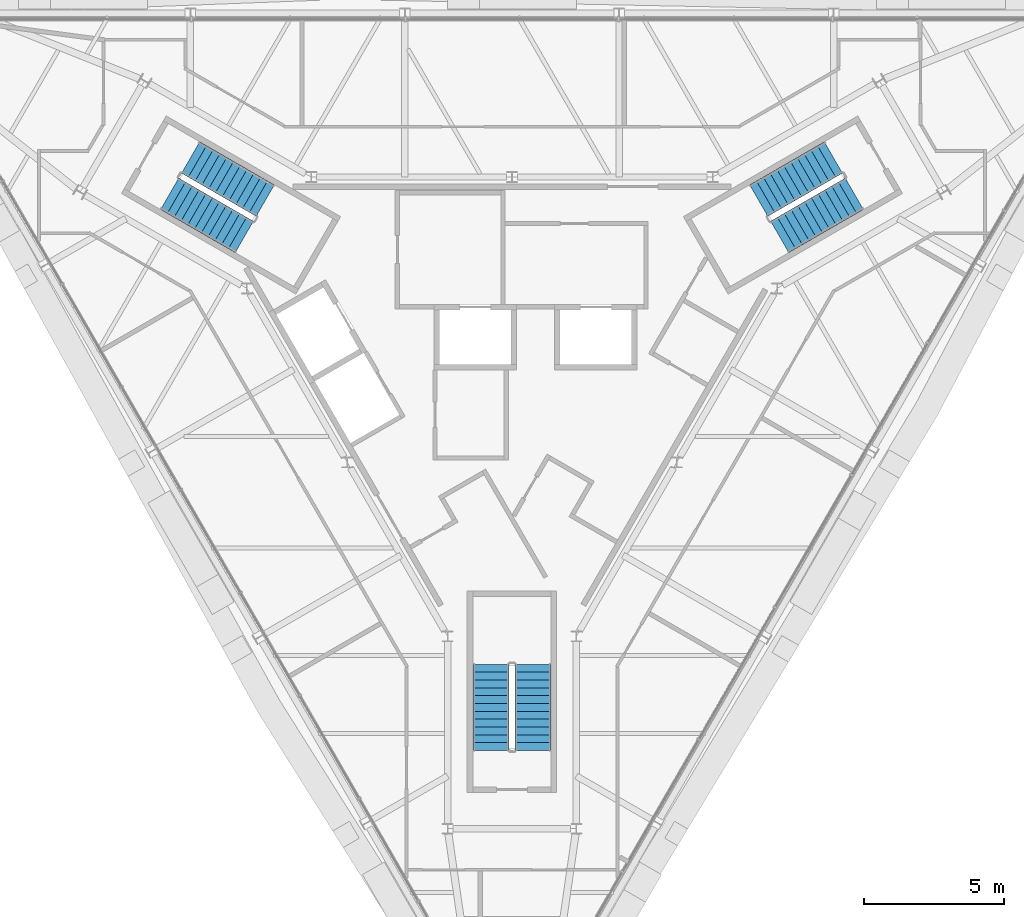
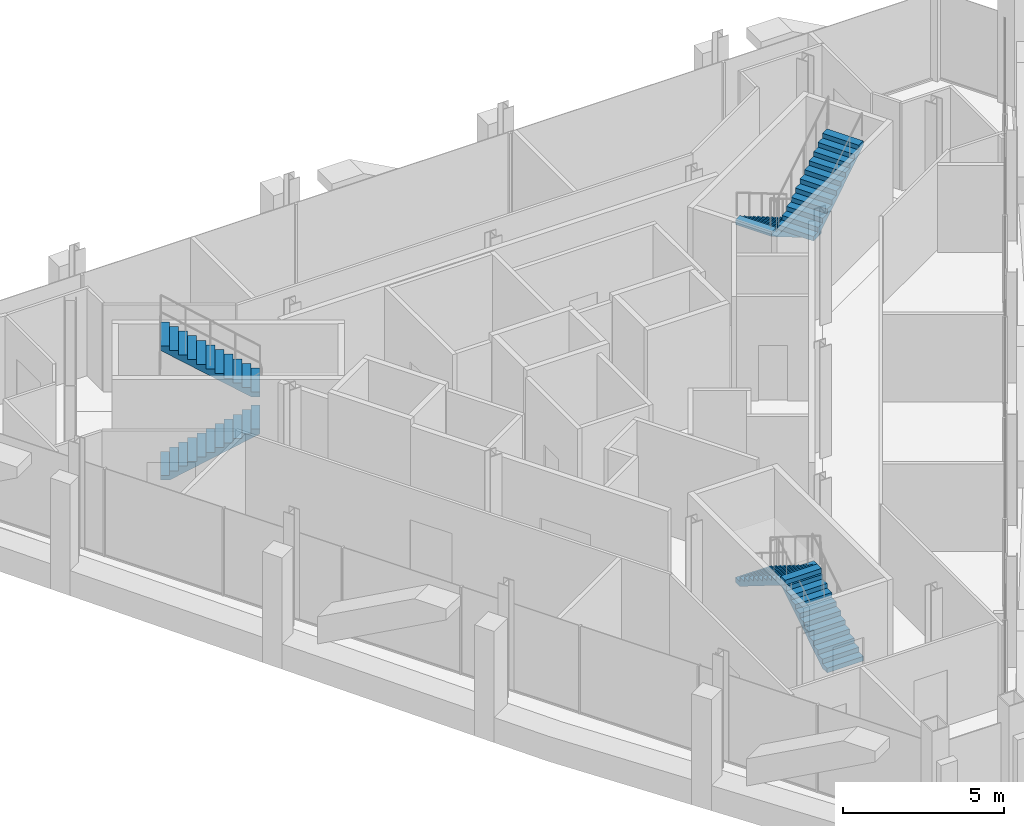
# One storey, part 11 of 13: 6 stair flights, 3 elements without a shape of their own.
"""IFC4 building model written with IfcOpenShell, lengths in metres."""

from ifc_helpers import new_model, si_unit, direction, frame, origin, place, context, subcontext, project, spatial, polyline, outline, extrude, material, type_object, element, aggregate, save


model = new_model("IFC4")

# Units and contexts
model_context = context("Model", 3, precision=1e-05, world=origin(), true_north=direction((0.0, 1.0)))
body_context = subcontext(model_context, "Body", "Model", "MODEL_VIEW")
ifc_project = project(units=[si_unit("LENGTHUNIT", "METRE"), si_unit("AREAUNIT", "SQUARE_METRE"), si_unit("VOLUMEUNIT", "CUBIC_METRE"), si_unit("PLANEANGLEUNIT", "RADIAN"), si_unit("MASSUNIT", "GRAM", prefix="KILO")], contexts=[model_context])

# Site, building, storey
site_placement = place(None, origin())
site = spatial("IfcSite", under=ifc_project, at=site_placement, CompositionType="ELEMENT")
building_placement = place(site_placement, origin())
building = spatial("IfcBuilding", under=site, at=building_placement, Name="Verrane Prism Tower", CompositionType="ELEMENT")
storey_placement = place(building_placement, frame((0.0, 0.0, 321.0)))
storey = spatial("IfcBuildingStorey", under=building, at=storey_placement, Name="L81", CompositionType="ELEMENT", Elevation=321.0)

# Stair, stair flights
ifc_material_1 = material(Name="Concrete C40/50", Category="concrete")
stair_type = type_object("IfcStairType", Name="Exit stair 1300 dog-leg precast concrete C40/50", PredefinedType="HALF_TURN_STAIR", material=ifc_material_1)
stair_1_placement = place(storey_placement, origin())
stair_1 = element("IfcStair", 1, at=stair_1_placement, inside=storey, type_object=stair_type, Name="Stair 1 L81", PredefinedType="HALF_TURN_STAIR")
ifc_material_2 = material(Name="Concrete C40/50", Category="concrete")
stair_flight_type = type_object("IfcStairFlightType", Name="Stair flight 1300 precast concrete C40/50", PredefinedType="STRAIGHT", material=ifc_material_2)
stair_flight_1_placement = place(storey_placement, frame((11.489501953125, 7.49951171875, 0.0), z_axis=(0.0, 0.0, 1.0), x_axis=(-0.866025403784, -0.5, 0.0)))
stair_flight_1 = element("IfcStairFlight", 2, at=stair_flight_1_placement, type_object=stair_flight_type, Name="Stair 1 flight 1", NumberOfRisers=12, NumberOfTreads=11, PredefinedType="STRAIGHT", RiserHeight=0.175, TreadLength=0.28, context=body_context, shape_type="SweptSolid", body=[
    extrude(outline(polyline([(0.0, 0.0), (0.0, 0.175048828125), (0.280029296875, 0.175048828125), (0.280029296875, 0.35009765625), (0.56005859375, 0.35009765625), (0.56005859375, 0.52490234375), (0.840087890625, 0.52490234375), (0.840087890625, 0.699951171875), (1.1201171875, 0.699951171875), (1.1201171875, 0.875), (1.39990234375, 0.875), (1.39990234375, 1.050048828125), (1.679931640625, 1.050048828125), (1.679931640625, 1.22509765625), (1.9599609375, 1.22509765625), (1.9599609375, 1.39990234375), (2.239990234375, 1.39990234375), (2.239990234375, 1.574951171875), (2.52001953125, 1.574951171875), (2.52001953125, 1.75), (2.800048828125, 1.75), (2.800048828125, 1.925048828125), (3.080078125, 1.925048828125), (3.080078125, 2.10009765625), (3.080078125, 1.748291015625), (0.28271484375, 0.0), (0.0, 0.0)])), frame((0.0, 0.64990234375, 0.0), z_axis=(0.0, -1.0, 0.0), x_axis=(1.0, 0.0, 0.0)), (0.0, 0.0, 1.0), 1.300048828125),
])
stair_flight_2_placement = place(storey_placement, frame((9.572265625, 4.660400390625, 2.10009765625), z_axis=(0.0, 0.0, 1.0), x_axis=(0.866025403784, 0.5, 0.0)))
stair_flight_2 = element("IfcStairFlight", 3, at=stair_flight_2_placement, type_object=stair_flight_type, Name="Stair 1 flight 2", NumberOfRisers=12, NumberOfTreads=11, PredefinedType="STRAIGHT", RiserHeight=0.175, TreadLength=0.28, context=body_context, shape_type="SweptSolid", body=[
    extrude(outline(polyline([(0.0, 0.0), (0.0, 0.175048828125), (0.280029296875, 0.175048828125), (0.280029296875, 0.35009765625), (0.56005859375, 0.35009765625), (0.56005859375, 0.52490234375), (0.840087890625, 0.52490234375), (0.840087890625, 0.699951171875), (1.1201171875, 0.699951171875), (1.1201171875, 0.875), (1.39990234375, 0.875), (1.39990234375, 1.050048828125), (1.679931640625, 1.050048828125), (1.679931640625, 1.22509765625), (1.9599609375, 1.22509765625), (1.9599609375, 1.39990234375), (2.239990234375, 1.39990234375), (2.239990234375, 1.574951171875), (2.52001953125, 1.574951171875), (2.52001953125, 1.75), (2.800048828125, 1.75), (2.800048828125, 1.925048828125), (3.080078125, 1.925048828125), (3.080078125, 2.10009765625), (3.080078125, 1.748291015625), (0.28271484375, 0.0), (0.0, 0.0)])), frame((0.0, 0.64990234375, 0.0), z_axis=(0.0, -1.0, 0.0), x_axis=(1.0, 0.0, 0.0)), (0.0, 0.0, 1.0), 1.300048828125),
])
aggregate(stair_1, [stair_flight_1, stair_flight_2])

stair_2_placement = place(storey_placement, origin())
stair_2 = element("IfcStair", 4, at=stair_2_placement, inside=storey, type_object=stair_type, Name="Stair 2 L81", PredefinedType="HALF_TURN_STAIR")
stair_flight_3_placement = place(storey_placement, frame((-12.239501953125, 6.200439453125, 0.0), z_axis=(0.0, 0.0, 1.0), x_axis=(0.866025403784, -0.5, 0.0)))
stair_flight_3 = element("IfcStairFlight", 5, at=stair_flight_3_placement, type_object=stair_flight_type, Name="Stair 2 flight 1", NumberOfRisers=12, NumberOfTreads=11, PredefinedType="STRAIGHT", RiserHeight=0.175, TreadLength=0.28, context=body_context, shape_type="SweptSolid", body=[
    extrude(outline(polyline([(0.0, 0.0), (0.0, 0.175048828125), (0.280029296875, 0.175048828125), (0.280029296875, 0.35009765625), (0.56005859375, 0.35009765625), (0.56005859375, 0.52490234375), (0.840087890625, 0.52490234375), (0.840087890625, 0.699951171875), (1.1201171875, 0.699951171875), (1.1201171875, 0.875), (1.39990234375, 0.875), (1.39990234375, 1.050048828125), (1.679931640625, 1.050048828125), (1.679931640625, 1.22509765625), (1.9599609375, 1.22509765625), (1.9599609375, 1.39990234375), (2.239990234375, 1.39990234375), (2.239990234375, 1.574951171875), (2.52001953125, 1.574951171875), (2.52001953125, 1.75), (2.800048828125, 1.75), (2.800048828125, 1.925048828125), (3.080078125, 1.925048828125), (3.080078125, 2.10009765625), (3.080078125, 1.748291015625), (0.28271484375, 0.0), (0.0, 0.0)])), frame((0.0, 0.64990234375, 0.0), z_axis=(0.0, -1.0, 0.0), x_axis=(1.0, 0.0, 0.0)), (0.0, 0.0, 1.0), 1.300048828125),
])
stair_flight_4_placement = place(storey_placement, frame((-8.822265625, 5.95947265625, 2.10009765625), z_axis=(0.0, 0.0, 1.0), x_axis=(-0.866025403784, 0.5, 0.0)))
stair_flight_4 = element("IfcStairFlight", 6, at=stair_flight_4_placement, type_object=stair_flight_type, Name="Stair 2 flight 2", NumberOfRisers=12, NumberOfTreads=11, PredefinedType="STRAIGHT", RiserHeight=0.175, TreadLength=0.28, context=body_context, shape_type="SweptSolid", body=[
    extrude(outline(polyline([(0.0, 0.0), (0.0, 0.175048828125), (0.280029296875, 0.175048828125), (0.280029296875, 0.35009765625), (0.56005859375, 0.35009765625), (0.56005859375, 0.52490234375), (0.840087890625, 0.52490234375), (0.840087890625, 0.699951171875), (1.1201171875, 0.699951171875), (1.1201171875, 0.875), (1.39990234375, 0.875), (1.39990234375, 1.050048828125), (1.679931640625, 1.050048828125), (1.679931640625, 1.22509765625), (1.9599609375, 1.22509765625), (1.9599609375, 1.39990234375), (2.239990234375, 1.39990234375), (2.239990234375, 1.574951171875), (2.52001953125, 1.574951171875), (2.52001953125, 1.75), (2.800048828125, 1.75), (2.800048828125, 1.925048828125), (3.080078125, 1.925048828125), (3.080078125, 2.10009765625), (3.080078125, 1.748291015625), (0.28271484375, 0.0), (0.0, 0.0)])), frame((0.0, 0.64990234375, 0.0), z_axis=(0.0, -1.0, 0.0), x_axis=(1.0, 0.0, 0.0)), (0.0, 0.0, 1.0), 1.300048828125),
])
aggregate(stair_2, [stair_flight_3, stair_flight_4])

stair_3_placement = place(storey_placement, origin())
stair_3 = element("IfcStair", 7, at=stair_3_placement, inside=storey, type_object=stair_type, Name="Stair 3 L81", PredefinedType="HALF_TURN_STAIR")
stair_flight_5_placement = place(storey_placement, frame((0.75, -13.699951171875, 0.0), z_axis=(0.0, 0.0, 1.0), x_axis=(0.0, 1.0, 0.0)))
stair_flight_5 = element("IfcStairFlight", 8, at=stair_flight_5_placement, type_object=stair_flight_type, Name="Stair 3 flight 1", NumberOfRisers=12, NumberOfTreads=11, PredefinedType="STRAIGHT", RiserHeight=0.175, TreadLength=0.28, context=body_context, shape_type="SweptSolid", body=[
    extrude(outline(polyline([(0.0, 0.0), (0.0, 0.175048828125), (0.280029296875, 0.175048828125), (0.280029296875, 0.35009765625), (0.56005859375, 0.35009765625), (0.56005859375, 0.52490234375), (0.840087890625, 0.52490234375), (0.840087890625, 0.699951171875), (1.1201171875, 0.699951171875), (1.1201171875, 0.875), (1.39990234375, 0.875), (1.39990234375, 1.050048828125), (1.679931640625, 1.050048828125), (1.679931640625, 1.22509765625), (1.9599609375, 1.22509765625), (1.9599609375, 1.39990234375), (2.239990234375, 1.39990234375), (2.239990234375, 1.574951171875), (2.52001953125, 1.574951171875), (2.52001953125, 1.75), (2.800048828125, 1.75), (2.800048828125, 1.925048828125), (3.080078125, 1.925048828125), (3.080078125, 2.10009765625), (3.080078125, 1.748291015625), (0.28271484375, 0.0), (0.0, 0.0)])), frame((0.0, 0.64990234375, 0.0), z_axis=(0.0, -1.0, 0.0), x_axis=(1.0, 0.0, 0.0)), (0.0, 0.0, 1.0), 1.300048828125),
])
stair_flight_6_placement = place(storey_placement, frame((-0.75, -10.6201171875, 2.10009765625), z_axis=(0.0, 0.0, 1.0), x_axis=(0.0, -1.0, 0.0)))
stair_flight_6 = element("IfcStairFlight", 9, at=stair_flight_6_placement, type_object=stair_flight_type, Name="Stair 3 flight 2", NumberOfRisers=12, NumberOfTreads=11, PredefinedType="STRAIGHT", RiserHeight=0.175, TreadLength=0.28, context=body_context, shape_type="SweptSolid", body=[
    extrude(outline(polyline([(0.0, 0.0), (0.0, 0.175048828125), (0.280029296875, 0.175048828125), (0.280029296875, 0.35009765625), (0.56005859375, 0.35009765625), (0.56005859375, 0.52490234375), (0.840087890625, 0.52490234375), (0.840087890625, 0.699951171875), (1.1201171875, 0.699951171875), (1.1201171875, 0.875), (1.39990234375, 0.875), (1.39990234375, 1.050048828125), (1.679931640625, 1.050048828125), (1.679931640625, 1.22509765625), (1.9599609375, 1.22509765625), (1.9599609375, 1.39990234375), (2.239990234375, 1.39990234375), (2.239990234375, 1.574951171875), (2.52001953125, 1.574951171875), (2.52001953125, 1.75), (2.800048828125, 1.75), (2.800048828125, 1.925048828125), (3.080078125, 1.925048828125), (3.080078125, 2.10009765625), (3.080078125, 1.748291015625), (0.28271484375, 0.0), (0.0, 0.0)])), frame((0.0, 0.64990234375, 0.0), z_axis=(0.0, -1.0, 0.0), x_axis=(1.0, 0.0, 0.0)), (0.0, 0.0, 1.0), 1.300048828125),
])
aggregate(stair_3, [stair_flight_5, stair_flight_6])

save(model, "model.ifc")
